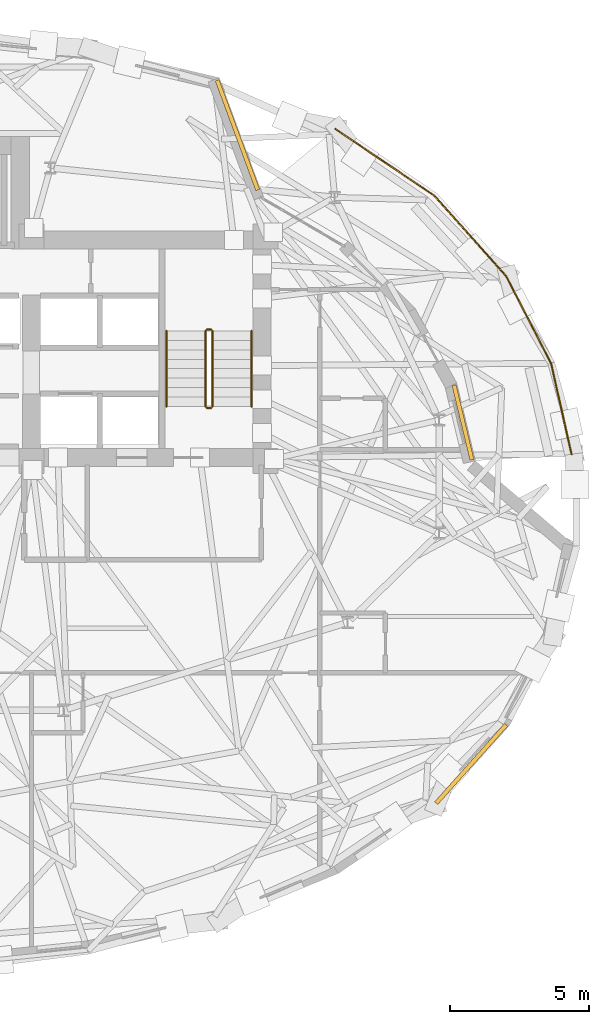
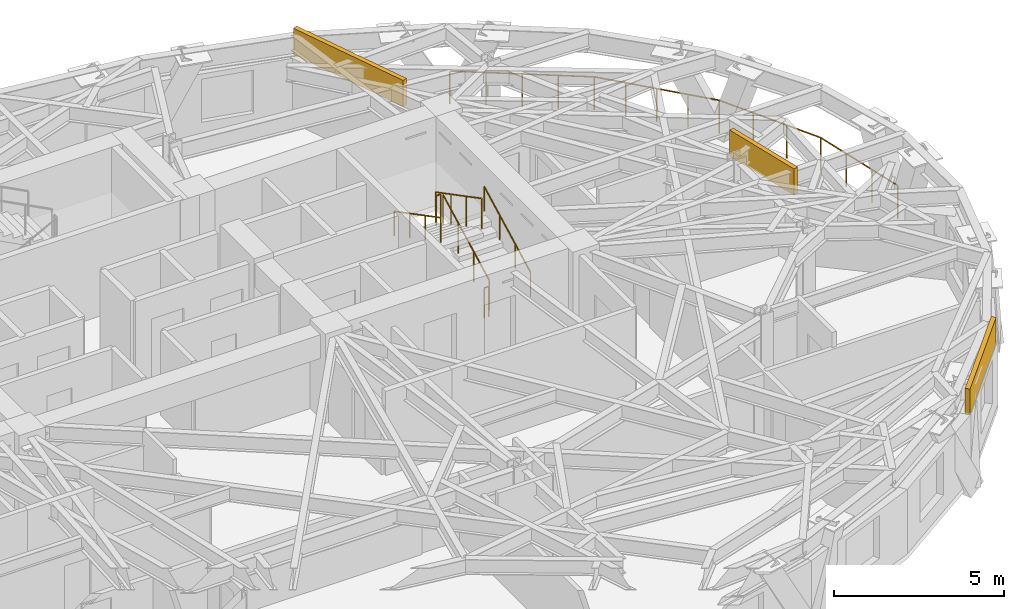
# One storey, part 14 of 15: 7 railings, 3 coverings.
"""IFC4 building model written with IfcOpenShell, lengths in metres."""

import ifcopenshell
import ifcopenshell.guid

model = None  # the IFC model being written
_history = None  # IfcOwnerHistory: only IFC2X3 demands one
_inside = {}  # id of a spatial element -> (the spatial element, [elements in it])
_under = {}  # id of a project, library or spatial element -> (it, [spatial elements below it])
_declared = {}  # id of a project -> (the project, [libraries it declares])
_typed = {}  # id of a type object -> (the type object, [elements of that type])
_made_of = {}  # id of a material, layer set ... -> (it, [elements and type objects made of it])


def new_model(schema):
    """Start an empty IFC model of exactly this schema.

    Asked for "IFC4X3", IfcOpenShell would pick the latest addendum, in which some entities
    have other attributes; the version numbers below select the first issue.
    IFC2X3 requires an IfcOwnerHistory on every rooted entity: one is made here for all.
    """
    global model, _history
    if schema == "IFC4X3":
        model = ifcopenshell.file(schema_version=(4, 3, 0, 0))
    else:
        model = ifcopenshell.file(schema=schema)
    _inside.clear()
    _under.clear()
    _declared.clear()
    _typed.clear()
    _made_of.clear()
    _history = None
    if model.schema == "IFC2X3":
        org = make("IfcOrganization", Name="unknown")
        user = make(
            "IfcPersonAndOrganization",
            ThePerson=make("IfcPerson", FamilyName="unknown"),
            TheOrganization=org,
        )
        app = make(
            "IfcApplication",
            ApplicationDeveloper=org,
            Version="unknown",
            ApplicationFullName="unknown",
            ApplicationIdentifier="unknown",
        )
        _history = make(
            "IfcOwnerHistory",
            OwningUser=user,
            OwningApplication=app,
            ChangeAction="ADDED",
            CreationDate=0,
        )
    return model


def make(cls, **values):
    """One entity of the class cls with the attributes given. An attribute that is None is left unset."""
    return model.create_entity(
        cls, **{name: value for name, value in values.items() if value is not None}
    )


def rooted(cls, **values):
    """An entity with a GlobalId (a new one), such as an element, a storey or a relation."""
    return make(cls, GlobalId=ifcopenshell.guid.new(), OwnerHistory=_history, **values)


def si_unit(unit_type, name, prefix=None):
    """IfcSIUnit, for example si_unit("LENGTHUNIT", "METRE", prefix="MILLI")."""
    return make("IfcSIUnit", UnitType=unit_type, Prefix=prefix, Name=name)


def assignment(units):
    """IfcUnitAssignment: the units of a project."""
    return None if units is None else make("IfcUnitAssignment", Units=units)


def point(xyz):
    """IfcCartesianPoint."""
    return None if xyz is None else make("IfcCartesianPoint", Coordinates=xyz)


def direction(xyz):
    """IfcDirection."""
    return None if xyz is None else make("IfcDirection", DirectionRatios=xyz)


def frame(location, z_axis=None, x_axis=None):
    """IfcAxis2Placement3D, a coordinate frame: its origin and axes. An axis left out is left unset."""
    return make(
        "IfcAxis2Placement3D",
        Location=point(location),
        Axis=direction(z_axis),
        RefDirection=direction(x_axis),
    )


def frame_2d(location, x_axis=None):
    """IfcAxis2Placement2D, a coordinate frame in the plane: its origin and x axis."""
    return make(
        "IfcAxis2Placement2D", Location=point(location), RefDirection=direction(x_axis)
    )


def origin():
    """The frame at (0, 0, 0) with its axes left unset."""
    return frame((0.0, 0.0, 0.0))


def origin_2d():
    """The frame at (0, 0) in the plane with its x axis left unset."""
    return frame_2d((0.0, 0.0))


def place(relative_to, where):
    """IfcLocalPlacement: puts the frame where relative to a parent placement (None: the world)."""
    return make(
        "IfcLocalPlacement", PlacementRelTo=relative_to, RelativePlacement=where
    )


def context(
    kind, dimensions, precision=None, world=None, true_north=None, identifier=None
):
    """IfcGeometricRepresentationContext, for example the 3D "Model" context."""
    return make(
        "IfcGeometricRepresentationContext",
        ContextIdentifier=identifier,
        ContextType=kind,
        CoordinateSpaceDimension=dimensions,
        Precision=precision,
        WorldCoordinateSystem=world,
        TrueNorth=true_north,
    )


def subcontext(parent, identifier, kind, view, scale=None):
    """IfcGeometricRepresentationSubContext, for example "Body" below "Model"."""
    return make(
        "IfcGeometricRepresentationSubContext",
        ContextIdentifier=identifier,
        ContextType=kind,
        ParentContext=parent,
        TargetScale=scale,
        TargetView=view,
    )


def project(units=None, contexts=None):
    """IfcProject with its units and contexts."""
    return rooted(
        "IfcProject",
        Name="project",
        RepresentationContexts=contexts,
        UnitsInContext=assignment(units),
    )


def spatial(cls, under=None, at=None, **own):
    """A site, building, storey or space (cls), placed at a placement, below another one or the project."""
    s = rooted(cls, ObjectPlacement=at, **own)
    if under is not None:
        _under.setdefault(under.id(), (under, []))[1].append(s)
    return s


def profile(cls, at=None, kind="AREA", **sizes):
    """A parametric profile (cls). Its sizes go by their IFC names, for example OverallWidth=200.0."""
    return make(cls, ProfileType=kind, Position=at, **sizes)


def rectangle(**sizes):
    """IfcRectangleProfileDef."""
    return profile("IfcRectangleProfileDef", **sizes)


def circle(**sizes):
    """IfcCircleProfileDef."""
    return profile("IfcCircleProfileDef", **sizes)


def extrude(swept, where, along, depth):
    """IfcExtrudedAreaSolid: the profile swept, set in the frame where, extruded along a direction by depth."""
    return make(
        "IfcExtrudedAreaSolid",
        SweptArea=swept,
        Position=where,
        ExtrudedDirection=direction(along),
        Depth=depth,
    )


def shape(context_of_items, identifier, shape_type, items):
    """IfcShapeRepresentation: the items that make up one representation, for example the "Body"."""
    return make(
        "IfcShapeRepresentation",
        ContextOfItems=context_of_items,
        RepresentationIdentifier=identifier,
        RepresentationType=shape_type,
        Items=items,
    )


def material(Name=None, Category=None):
    """IfcMaterial."""
    return make("IfcMaterial", Name=Name, Category=Category)


def layer(
    of_material, thickness, ventilated=None, Name=None, Category=None, Priority=None
):
    """IfcMaterialLayer: one layer of a wall or slab, of a material (None: an air gap)."""
    return make(
        "IfcMaterialLayer",
        Material=of_material,
        LayerThickness=thickness,
        IsVentilated=ventilated,
        Name=Name,
        Category=Category,
        Priority=Priority,
    )


def layer_set(layers, Name=None):
    """IfcMaterialLayerSet."""
    return make("IfcMaterialLayerSet", MaterialLayers=layers, LayerSetName=Name)


def made_of(thing, what):
    """Note that an element or type object is made of a material, layer set ...; save() writes the relation."""
    if what is not None:
        _made_of.setdefault(what.id(), (what, []))[1].append(thing)
    return thing


def type_object(cls, material=None, **own):
    """A type object (cls), such as IfcWallType, which elements share."""
    return made_of(rooted(cls, **own), material)


def element(
    cls,
    number,
    at=None,
    inside=None,
    cuts=None,
    type_object=None,
    material=None,
    context=None,
    identifier="Body",
    shape_type=None,
    held_by="IfcProductDefinitionShape",
    body=None,
    shapes=None,
    **own,
):
    """One element of the class cls, such as IfcWall. Its Tag is "e" and its number.

    at: its placement. inside: the storey or other place that contains it. cuts: it is an
    opening in that element (IfcRelVoidsElement). A single representation is given by context,
    identifier, shape_type and body (its items); several are given by shapes. held_by: the class
    of the entity that holds the representations. save() writes the other relations.
    """
    e = rooted(cls, Tag="e%d" % number, ObjectPlacement=at, **own)
    if body is not None:
        shapes = [shape(context, identifier, shape_type, body)]
    if shapes is not None:
        e.Representation = make(held_by, Representations=shapes)
    if inside is not None:
        _inside.setdefault(inside.id(), (inside, []))[1].append(e)
    if cuts is not None:
        rooted(
            "IfcRelVoidsElement", RelatingBuildingElement=cuts, RelatedOpeningElement=e
        )
    if type_object is not None:
        _typed.setdefault(type_object.id(), (type_object, []))[1].append(e)
    return made_of(e, material)


def aggregate(whole, parts):
    """IfcRelAggregates: a whole, such as a stair, and the parts it consists of."""
    return rooted("IfcRelAggregates", RelatingObject=whole, RelatedObjects=parts)


def save(model, path):
    """Write the relations noted so far, then the file.

    IfcRelAggregates (storeys below a building ...), IfcRelContainedInSpatialStructure (elements
    in a storey), IfcRelDefinesByType, IfcRelAssociatesMaterial and IfcRelDeclares: one each for
    every whole, place, type object, material and project.
    """
    for whole, parts in _under.values():
        aggregate(whole, parts)
    for where, things in _inside.values():
        rooted(
            "IfcRelContainedInSpatialStructure",
            RelatedElements=things,
            RelatingStructure=where,
        )
    for kind, things in _typed.values():
        rooted("IfcRelDefinesByType", RelatedObjects=things, RelatingType=kind)
    for what, things in _made_of.values():
        rooted("IfcRelAssociatesMaterial", RelatedObjects=things, RelatingMaterial=what)
    for by, libraries in _declared.values():
        rooted("IfcRelDeclares", RelatingContext=by, RelatedDefinitions=libraries)
    model.write(path)


model = new_model("IFC4")

# Units and contexts
model_context = context("Model", 3, precision=1e-05, world=origin(), true_north=direction((0.0, 1.0)))
body_context = subcontext(model_context, "Body", "Model", "MODEL_VIEW")
ifc_project = project(units=[si_unit("LENGTHUNIT", "METRE"), si_unit("AREAUNIT", "SQUARE_METRE"), si_unit("VOLUMEUNIT", "CUBIC_METRE"), si_unit("PLANEANGLEUNIT", "RADIAN"), si_unit("MASSUNIT", "GRAM", prefix="KILO")], contexts=[model_context])

# Site, building, storey
site_placement = place(None, origin())
site = spatial("IfcSite", under=ifc_project, at=site_placement, CompositionType="ELEMENT")
building_placement = place(site_placement, origin())
building = spatial("IfcBuilding", under=site, at=building_placement, Name="Keldmark Tower", CompositionType="ELEMENT")
storey_placement = place(building_placement, frame((0.0, 0.0, 156.60009765625)))
storey = spatial("IfcBuildingStorey", under=building, at=storey_placement, Name="L42", CompositionType="ELEMENT", Elevation=156.60009765625)

# Railing
ifc_material_1 = material(Name="DuPont SentryGlas Laminated Glass and Stainless Posts", Category="glass")
railing_type_1 = type_object("IfcRailingType", Name="Heated Laminated Glass Wind-Baffle Guard 1200 mm", PredefinedType="GUARDRAIL", material=ifc_material_1)
railing_1_placement = place(storey_placement, frame((24.581298828125, 1.64111328125, 0.0)))
element("IfcRailing", 1, at=railing_1_placement, inside=storey, type_object=railing_type_1, Name="L42 Terrace Laminated Glass Wind-Baffle Guard TERR 01", PredefinedType="GUARDRAIL", context=body_context, shape_type="SweptSolid", body=[
    extrude(circle(Radius=0.02392578125, at=origin_2d()), frame((0.0, 0.0, 1.17578125), z_axis=(-0.219465288381, 0.975620308929, 0.0), x_axis=(-0.975620308929, -0.219465288381, 0.0)), (0.0, 0.0, 1.0), 3.343994140625),
    extrude(circle(Radius=0.02392578125, at=origin_2d()), frame((-0.73388671875, 3.262451171875, 1.17578125), z_axis=(-0.45842523075, 0.888732978916, 0.0), x_axis=(-0.888732978916, -0.45842523075, 0.0)), (0.0, 0.0, 1.0), 3.542724609375),
    extrude(circle(Radius=0.02392578125, at=origin_2d()), frame((-2.35791015625, 6.410888671875, 1.17578125), z_axis=(-0.667636830806, 0.744487113489, 0.0), x_axis=(-0.744487113489, -0.667636830806, 0.0)), (0.0, 0.0, 1.0), 3.863037109375),
    extrude(circle(Radius=0.02392578125, at=origin_2d()), frame((-4.93701171875, 9.286865234375, 1.17578125), z_axis=(-0.828950349851, 0.559322194698, 0.0), x_axis=(-0.559322194698, -0.828950349851, 0.0)), (0.0, 0.0, 1.0), 4.258544921875),
    extrude(circle(Radius=0.02099609375, at=origin_2d()), origin(), (0.0, 0.0, 1.0), 1.15185546875),
    extrude(circle(Radius=0.02099609375, at=origin_2d()), frame((-0.24462890625, 1.08740234375, 0.0)), (0.0, 0.0, 1.0), 1.15185546875),
    extrude(circle(Radius=0.02099609375, at=origin_2d()), frame((-0.4892578125, 2.175048828125, 0.0)), (0.0, 0.0, 1.0), 1.15185546875),
    extrude(circle(Radius=0.02099609375, at=origin_2d()), frame((-0.73388671875, 3.262451171875, 0.0)), (0.0, 0.0, 1.0), 1.15185546875),
    extrude(circle(Radius=0.02099609375, at=origin_2d()), frame((-1.275146484375, 4.31201171875, 0.0)), (0.0, 0.0, 1.0), 1.15185546875),
    extrude(circle(Radius=0.02099609375, at=origin_2d()), frame((-1.816650390625, 5.361328125, 0.0)), (0.0, 0.0, 1.0), 1.15185546875),
    extrude(circle(Radius=0.02099609375, at=origin_2d()), frame((-2.35791015625, 6.410888671875, 0.0)), (0.0, 0.0, 1.0), 1.15185546875),
    extrude(circle(Radius=0.02099609375, at=origin_2d()), frame((-3.002685546875, 7.1298828125, 0.0)), (0.0, 0.0, 1.0), 1.15185546875),
    extrude(circle(Radius=0.02099609375, at=origin_2d()), frame((-3.6474609375, 7.848876953125, 0.0)), (0.0, 0.0, 1.0), 1.15185546875),
    extrude(circle(Radius=0.02099609375, at=origin_2d()), frame((-4.292236328125, 8.56787109375, 0.0)), (0.0, 0.0, 1.0), 1.15185546875),
    extrude(circle(Radius=0.02099609375, at=origin_2d()), frame((-4.93701171875, 9.286865234375, 0.0)), (0.0, 0.0, 1.0), 1.15185546875),
    extrude(circle(Radius=0.02099609375, at=origin_2d()), frame((-5.819580078125, 9.88232421875, 0.0)), (0.0, 0.0, 1.0), 1.15185546875),
    extrude(circle(Radius=0.02099609375, at=origin_2d()), frame((-6.7021484375, 10.477783203125, 0.0)), (0.0, 0.0, 1.0), 1.15185546875),
    extrude(circle(Radius=0.02099609375, at=origin_2d()), frame((-7.58447265625, 11.0732421875, 0.0)), (0.0, 0.0, 1.0), 1.15185546875),
    extrude(circle(Radius=0.02099609375, at=origin_2d()), frame((-8.467041015625, 11.668701171875, 0.0)), (0.0, 0.0, 1.0), 1.15185546875),
])

# Coverings
ifc_material_2 = material(Name="Honed Kasota Buff Dolomitic Limestone", Category="masonry")
ifc_layer = layer(ifc_material_2, 0.074951171875)
ifc_layer_set = layer_set([ifc_layer], Name="Honed Kasota Buff Dolomitic Limestone")
covering_type = type_object("IfcCoveringType", Name="Kasota Buff Limestone Spandrel Cladding Band", PredefinedType="CLADDING", material=ifc_layer_set)
covering_1_placement = place(storey_placement, frame((20.686767578125, 2.783203125, 2.239013671875), z_axis=(0.0, 0.0, 1.0), x_axis=(-0.233326564717, 0.972398433872, 0.0)))
element("IfcCovering", 2, at=covering_1_placement, inside=storey, type_object=covering_type, Name="L42 Kasota Limestone Spandrel Band 01", PredefinedType="CLADDING", context=body_context, shape_type="SweptSolid", body=[
    extrude(rectangle(XDim=2.75537109375, YDim=0.14990234375, at=origin_2d()), origin(), (0.0, 0.0, 1.0), 0.94091796875),
])
covering_2_placement = place(storey_placement, frame((12.5947265625, 13.091796875, 2.239013671875), z_axis=(0.0, 0.0, 1.0), x_axis=(-0.347017496502, 0.937858655194, 0.0)))
element("IfcCovering", 3, at=covering_2_placement, inside=storey, type_object=covering_type, Name="L42 Kasota Limestone Spandrel Band 05", PredefinedType="CLADDING", context=body_context, shape_type="SweptSolid", body=[
    extrude(rectangle(XDim=4.1953125, YDim=0.14990234375, at=origin_2d()), origin(), (0.0, 0.0, 1.0), 0.94091796875),
])
covering_3_placement = place(storey_placement, frame((20.97900390625, -9.474609375, 2.239013671875), z_axis=(0.0, 0.0, 1.0), x_axis=(0.66633728225, 0.745650471926, 0.0)))
element("IfcCovering", 4, at=covering_3_placement, inside=storey, type_object=covering_type, Name="L42 Kasota Limestone Spandrel Band 29", PredefinedType="CLADDING", context=body_context, shape_type="SweptSolid", body=[
    extrude(rectangle(XDim=3.764404296875, YDim=0.14990234375, at=origin_2d()), origin(), (0.0, 0.0, 1.0), 0.94091796875),
])

# Railings
ifc_material_3 = material(Name="Painted Steel ASTM A500 Grade B", Category="steel")
railing_type_2 = type_object("IfcRailingType", Name="Painted Steel Stair Well Guard 1100 mm", PredefinedType="GUARDRAIL", material=ifc_material_3)
railing_2_placement = place(storey_placement, frame((11.699951171875, 3.35009765625, 0.177734375)))
element("IfcRailing", 5, at=railing_2_placement, inside=storey, type_object=railing_type_2, Name="L42 ST2 stair guard 1", PredefinedType="GUARDRAIL", context=body_context, shape_type="SweptSolid", body=[
    extrude(circle(Radius=0.02392578125, at=origin_2d()), frame((0.0, 0.0, 1.076171875), z_axis=(0.0, 0.886183135912, 0.463335137482), x_axis=(-1.0, 0.0, 0.0)), (0.0, 0.0, 1.0), 3.0693359375),
    extrude(circle(Radius=0.02099609375, at=origin_2d()), origin(), (0.0, 0.0, 1.0), 1.052001953125),
    extrude(circle(Radius=0.02099609375, at=origin_2d()), frame((0.0, 0.90673828125, 0.47412109375)), (0.0, 0.0, 1.0), 1.052001953125),
    extrude(circle(Radius=0.02099609375, at=origin_2d()), frame((0.0, 1.813232421875, 0.947998046875)), (0.0, 0.0, 1.0), 1.052001953125),
    extrude(circle(Radius=0.02099609375, at=origin_2d()), frame((0.0, 2.719970703125, 1.422119140625)), (0.0, 0.0, 1.0), 1.052001953125),
])
railing_3_placement = place(storey_placement, frame((11.64990234375, 6.1201171875, 1.599853515625)))
element("IfcRailing", 6, at=railing_3_placement, inside=storey, type_object=railing_type_2, Name="L42 ST2 stair guard 2", PredefinedType="GUARDRAIL", context=body_context, shape_type="SweptSolid", body=[
    extrude(circle(Radius=0.02392578125, at=origin_2d()), frame((0.0, 0.0, 1.076171875), z_axis=(-1.0, 0.0, 0.0), x_axis=(0.0, -1.0, 0.0)), (0.0, 0.0, 1.0), 0.14990234375),
    extrude(circle(Radius=0.02099609375, at=origin_2d()), origin(), (0.0, 0.0, 1.0), 1.052001953125),
    extrude(circle(Radius=0.02099609375, at=origin_2d()), frame((-0.14990234375, 0.0, 0.0)), (0.0, 0.0, 1.0), 1.052001953125),
])
railing_4_placement = place(storey_placement, frame((11.449951171875, 6.070068359375, 1.777587890625)))
element("IfcRailing", 7, at=railing_4_placement, inside=storey, type_object=railing_type_2, Name="L42 ST2 stair guard 3", PredefinedType="GUARDRAIL", context=body_context, shape_type="SweptSolid", body=[
    extrude(circle(Radius=0.02392578125, at=origin_2d()), frame((0.0, 0.0, 1.076171875), z_axis=(0.0, -0.886150474775, 0.463397600399), x_axis=(1.0, 0.0, 0.0)), (0.0, 0.0, 1.0), 3.0693359375),
    extrude(circle(Radius=0.02099609375, at=origin_2d()), origin(), (0.0, 0.0, 1.0), 1.052001953125),
    extrude(circle(Radius=0.02099609375, at=origin_2d()), frame((0.0, -0.90673828125, 0.47412109375)), (0.0, 0.0, 1.0), 1.052001953125),
    extrude(circle(Radius=0.02099609375, at=origin_2d()), frame((0.0, -1.813232421875, 0.9482421875)), (0.0, 0.0, 1.0), 1.052001953125),
    extrude(circle(Radius=0.02099609375, at=origin_2d()), frame((0.0, -2.719970703125, 1.42236328125)), (0.0, 0.0, 1.0), 1.052001953125),
])
railing_5_placement = place(storey_placement, frame((11.64990234375, 3.300048828125, 0.0)))
element("IfcRailing", 8, at=railing_5_placement, inside=storey, type_object=railing_type_2, Name="L42 ST2 stair guard 4", PredefinedType="GUARDRAIL", context=body_context, shape_type="SweptSolid", body=[
    extrude(circle(Radius=0.02392578125, at=origin_2d()), frame((0.0, 0.0, 1.076171875), z_axis=(-1.0, 0.0, 0.0), x_axis=(0.0, -1.0, 0.0)), (0.0, 0.0, 1.0), 0.14990234375),
    extrude(circle(Radius=0.02099609375, at=origin_2d()), origin(), (0.0, 0.0, 1.0), 1.052001953125),
    extrude(circle(Radius=0.02099609375, at=origin_2d()), frame((-0.14990234375, 0.0, 0.0)), (0.0, 0.0, 1.0), 1.052001953125),
])
ifc_material_4 = material(Name="Stainless Steel AISI 316L", Category="steel")
railing_type_3 = type_object("IfcRailingType", Name="Stainless Steel Stair Handrail 900 mm", PredefinedType="HANDRAIL", material=ifc_material_4)
railing_6_placement = place(storey_placement, frame((13.10009765625, 3.35009765625, 0.177734375)))
element("IfcRailing", 9, at=railing_6_placement, inside=storey, type_object=railing_type_3, Name="L42 ST2 stair handrail 1", PredefinedType="HANDRAIL", context=body_context, shape_type="SweptSolid", body=[
    extrude(circle(Radius=0.02392578125, at=origin_2d()), frame((0.0, 0.0, 0.8759765625), z_axis=(0.0, 0.886183135912, 0.463335137482), x_axis=(-1.0, 0.0, 0.0)), (0.0, 0.0, 1.0), 3.0693359375),
    extrude(circle(Radius=0.02099609375, at=origin_2d()), origin(), (0.0, 0.0, 1.0), 0.851806640625),
    extrude(circle(Radius=0.02099609375, at=origin_2d()), frame((0.0, 0.90673828125, 0.47412109375)), (0.0, 0.0, 1.0), 0.851806640625),
    extrude(circle(Radius=0.02099609375, at=origin_2d()), frame((0.0, 1.813232421875, 0.947998046875)), (0.0, 0.0, 1.0), 0.851806640625),
    extrude(circle(Radius=0.02099609375, at=origin_2d()), frame((0.0, 2.719970703125, 1.422119140625)), (0.0, 0.0, 1.0), 0.851806640625),
])
railing_7_placement = place(storey_placement, frame((10.050048828125, 6.070068359375, 1.777587890625)))
element("IfcRailing", 10, at=railing_7_placement, inside=storey, type_object=railing_type_3, Name="L42 ST2 stair handrail 2", PredefinedType="HANDRAIL", context=body_context, shape_type="SweptSolid", body=[
    extrude(circle(Radius=0.02392578125, at=origin_2d()), frame((0.0, 0.0, 0.8759765625), z_axis=(0.0, -0.886150474775, 0.463397600399), x_axis=(1.0, 0.0, 0.0)), (0.0, 0.0, 1.0), 3.0693359375),
    extrude(circle(Radius=0.02099609375, at=origin_2d()), origin(), (0.0, 0.0, 1.0), 0.851806640625),
    extrude(circle(Radius=0.02099609375, at=origin_2d()), frame((0.0, -0.90673828125, 0.47412109375)), (0.0, 0.0, 1.0), 0.851806640625),
    extrude(circle(Radius=0.02099609375, at=origin_2d()), frame((0.0, -1.813232421875, 0.9482421875)), (0.0, 0.0, 1.0), 0.851806640625),
    extrude(circle(Radius=0.02099609375, at=origin_2d()), frame((0.0, -2.719970703125, 1.42236328125)), (0.0, 0.0, 1.0), 0.851806640625),
])

save(model, "model.ifc")
